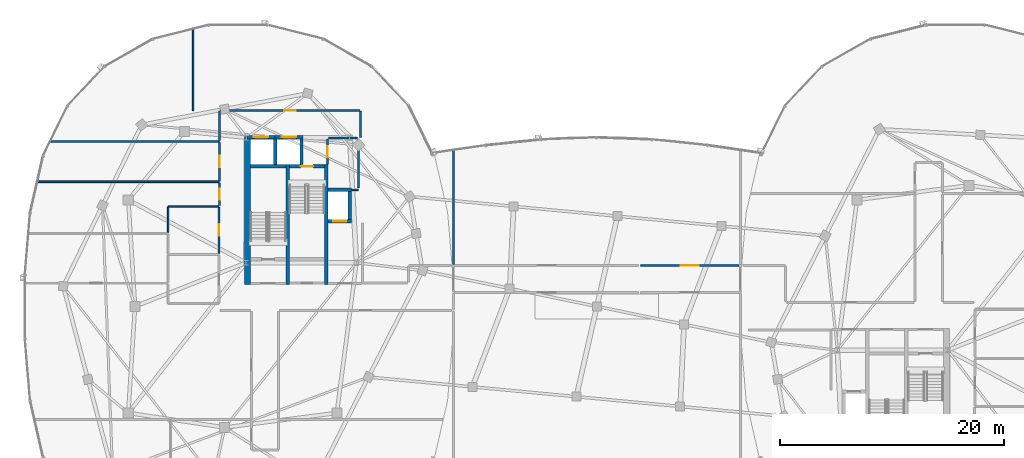
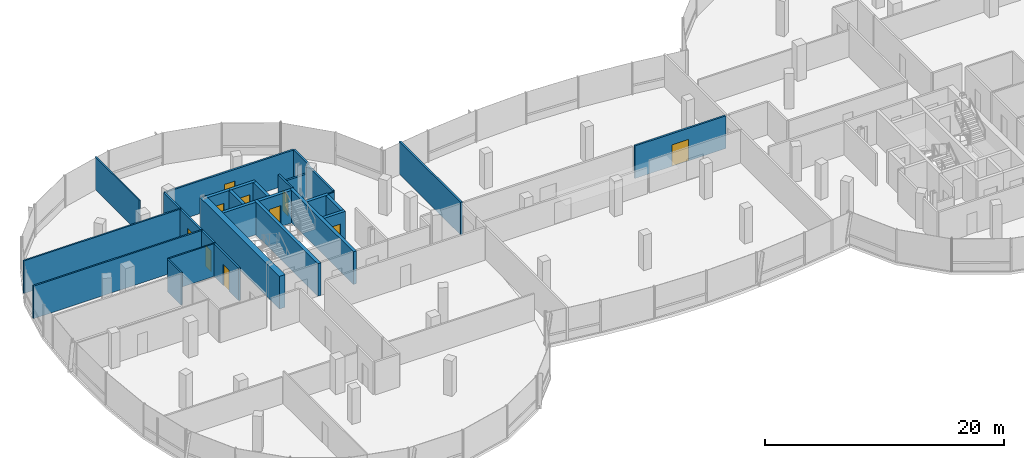
# One storey, part 15 of 25: 29 walls, 10 doors, 10 openings.
"""IFC4 building model written with IfcOpenShell, lengths in metres."""

from ifc_helpers import new_model, si_unit, direction, frame, frame_2d, origin, place, context, subcontext, project, spatial, rectangle, extrude, material, layer, layer_set, type_object, element, fill, save


model = new_model("IFC4")

# Units and contexts
model_context = context("Model", 3, precision=1e-05, world=origin(), true_north=direction((0.0, 1.0)))
body_context = subcontext(model_context, "Body", "Model", "MODEL_VIEW")
ifc_project = project(units=[si_unit("LENGTHUNIT", "METRE"), si_unit("AREAUNIT", "SQUARE_METRE"), si_unit("VOLUMEUNIT", "CUBIC_METRE"), si_unit("PLANEANGLEUNIT", "RADIAN"), si_unit("MASSUNIT", "GRAM", prefix="KILO"), si_unit("THERMODYNAMICTEMPERATUREUNIT", "KELVIN"), si_unit("POWERUNIT", "WATT")], contexts=[model_context])

# Site, building, storey
site_placement = place(None, origin())
site = spatial("IfcSite", under=ifc_project, at=site_placement, CompositionType="ELEMENT")
building_placement = place(site_placement, origin())
building = spatial("IfcBuilding", under=site, at=building_placement, Name="Cundina Bronze Exchange", CompositionType="ELEMENT")
storey_placement = place(building_placement, frame((0.0, 0.0, 254.0)))
storey = spatial("IfcBuildingStorey", under=building, at=storey_placement, Name="L67", CompositionType="ELEMENT", Elevation=254.0)

# Walls
ifc_material_1 = material(Name="Gypsum Fireboard Partition EI120")
ifc_layer_1 = layer(ifc_material_1, 0.179931640625, Name="Gypsum Fireboard Partition EI120")
ifc_layer_set_1 = layer_set([ifc_layer_1], Name="Gypsum Fireboard Partition EI120")
wall_type_1 = type_object("IfcWallType", Name="WL-COR-180", PredefinedType="PARTITIONING", material=ifc_layer_set_1)
wall_1_placement = place(storey_placement, frame((-21.25, 10.570068359375, 0.0), z_axis=(0.0, 0.0, 1.0), x_axis=(0.0, 1.0, 0.0)))
element("IfcWall", 1, at=wall_1_placement, inside=storey, type_object=wall_type_1, Name="L67 Interior Partition 002", PredefinedType="PARTITIONING", context=body_context, shape_type="SweptSolid", body=[
    extrude(rectangle(XDim=4.35986328125, YDim=0.179931640625, at=frame_2d((2.179931640625, 0.0))), origin(), (0.0, 0.0, 1.0), 3.340087890625),
])
wall_2_placement = place(storey_placement, frame((-23.9599609375, 15.030029296875, 0.0), z_axis=(0.0, 0.0, 1.0), x_axis=(1.0, 0.0, 0.0)))
element("IfcWall", 2, at=wall_2_placement, inside=storey, type_object=wall_type_1, Name="L67 Interior Partition 003", PredefinedType="PARTITIONING", context=body_context, shape_type="SweptSolid", body=[
    extrude(rectangle(XDim=2.60986328125, YDim=0.179931640625, at=frame_2d((1.304931640625, 0.0))), origin(), (0.0, 0.0, 1.0), 2.4130859375),
])

# Wall, opening, door
wall_3_placement = place(storey_placement, frame((-24.02001953125, 12.669921875, 0.0), z_axis=(0.0, 0.0, 1.0), x_axis=(0.0, 1.0, 0.0)))
wall_3 = element("IfcWall", 3, at=wall_3_placement, inside=storey, type_object=wall_type_1, Name="L67 Interior Partition 005", PredefinedType="PARTITIONING", context=body_context, shape_type="SweptSolid", body=[
    extrude(rectangle(XDim=2.260009765625, YDim=0.179931640625, at=frame_2d((1.1298828125, 0.0))), origin(), (0.0, 0.0, 1.0), 3.340087890625),
])
opening_1_placement = place(wall_3_placement, frame((0.655029296875, 0.0, 0.0)))
opening_1 = element("IfcOpeningElement", 4, at=opening_1_placement, cuts=wall_3, Name="Opening DW-01", PredefinedType="OPENING", context=body_context, shape_type="SweptSolid", body=[
    extrude(rectangle(XDim=0.949951171875, YDim=2.10009765625, at=frame_2d((0.47509765625, 1.050048828125))), frame((0.0, 0.099853515625, 0.0), z_axis=(0.0, -1.0, 0.0), x_axis=(1.0, 0.0, 0.0)), (0.0, 0.0, 1.0), 0.199951171875),
])
ifc_material_2 = material(Name="Solid Andean Oak Timber Grade A", Category="wood")
door_type_1 = type_object("IfcDoorType", Name="DR-WC-950", OperationType="NOTDEFINED", PredefinedType="DOOR", material=ifc_material_2)
door_1_placement = place(opening_1_placement, origin())
door_1 = element("IfcDoor", 5, at=door_1_placement, inside=storey, type_object=door_type_1, Name="L67 Interior Door 005", OperationType="SINGLE_SWING_LEFT", OverallHeight=2.10009765625, OverallWidth=0.949951171875, PredefinedType="DOOR", context=body_context, shape_type="SweptSolid", body=[
    extrude(rectangle(XDim=0.949951171875, YDim=2.10009765625, at=frame_2d((0.47509765625, 1.050048828125))), frame((0.0, 0.02490234375, 0.0), z_axis=(0.0, -1.0, 0.0), x_axis=(1.0, 0.0, 0.0)), (0.0, 0.0, 1.0), 0.050048828125),
])
fill(opening_1, door_1)

wall_4_placement = place(storey_placement, frame((-33.719970703125, 4.72998046875, 0.0), z_axis=(0.0, 0.0, 1.0), x_axis=(0.0, 1.0, 0.0)))
wall_4 = element("IfcWall", 6, at=wall_4_placement, inside=storey, type_object=wall_type_1, Name="L67 Interior Partition 014", PredefinedType="PARTITIONING", context=body_context, shape_type="SweptSolid", body=[
    extrude(rectangle(XDim=4.159912109375, YDim=0.179931640625, at=frame_2d((2.080078125, 0.0))), origin(), (0.0, 0.0, 1.0), 3.340087890625),
])
opening_2_placement = place(wall_4_placement, frame((1.580078125, 0.0, 0.0)))
opening_2 = element("IfcOpeningElement", 7, at=opening_2_placement, cuts=wall_4, Name="Opening DO-01", PredefinedType="OPENING", context=body_context, shape_type="SweptSolid", body=[
    extrude(rectangle(XDim=1.0, YDim=2.14990234375, at=frame_2d((0.5, 1.074951171875))), frame((0.0, 0.099853515625, 0.0), z_axis=(0.0, -1.0, 0.0), x_axis=(1.0, 0.0, 0.0)), (0.0, 0.0, 1.0), 0.199951171875),
])
door_type_2 = type_object("IfcDoorType", Name="DR-OFF-1000", OperationType="NOTDEFINED", PredefinedType="DOOR", material=ifc_material_2)
door_2_placement = place(opening_2_placement, origin())
door_2 = element("IfcDoor", 8, at=door_2_placement, inside=storey, type_object=door_type_2, Name="L67 Interior Door 014", OperationType="SINGLE_SWING_RIGHT", OverallHeight=2.14990234375, OverallWidth=1.0, PredefinedType="DOOR", context=body_context, shape_type="SweptSolid", body=[
    extrude(rectangle(XDim=1.0, YDim=2.14990234375, at=frame_2d((0.5, 1.074951171875))), frame((0.0, 0.02490234375, 0.0), z_axis=(0.0, -1.0, 0.0), x_axis=(1.0, 0.0, 0.0)), (0.0, 0.0, 1.0), 0.050048828125),
])
fill(opening_2, door_2)

wall_5_placement = place(storey_placement, frame((-33.669921875, 11.030029296875, 0.0), z_axis=(0.0, 0.0, 1.0), x_axis=(0.0, -1.0, 0.0)))
wall_5 = element("IfcWall", 9, at=wall_5_placement, inside=storey, type_object=wall_type_1, Name="L67 Interior Partition 029", PredefinedType="PARTITIONING", context=body_context, shape_type="SweptSolid", body=[
    extrude(rectangle(XDim=2.028564453125, YDim=0.179931640625, at=frame_2d((1.01416015625, 0.0))), origin(), (0.0, 0.0, 1.0), 3.340087890625),
])
opening_3_placement = place(wall_5_placement, frame((0.514404296875, 0.0, 0.0)))
opening_3 = element("IfcOpeningElement", 10, at=opening_3_placement, cuts=wall_5, Name="Opening DO-01", PredefinedType="OPENING", context=body_context, shape_type="SweptSolid", body=[
    extrude(rectangle(XDim=1.0, YDim=2.14990234375, at=frame_2d((0.5, 1.074951171875))), frame((0.0, 0.099853515625, 0.0), z_axis=(0.0, -1.0, 0.0), x_axis=(1.0, 0.0, 0.0)), (0.0, 0.0, 1.0), 0.199951171875),
])
door_3_placement = place(opening_3_placement, origin())
door_3 = element("IfcDoor", 11, at=door_3_placement, inside=storey, type_object=door_type_2, Name="L67 Interior Door 029", OperationType="SINGLE_SWING_LEFT", OverallHeight=2.14990234375, OverallWidth=1.0, PredefinedType="DOOR", context=body_context, shape_type="SweptSolid", body=[
    extrude(rectangle(XDim=1.0, YDim=2.14990234375, at=frame_2d((0.5, 1.074951171875))), frame((0.0, 0.02490234375, 0.0), z_axis=(0.0, -1.0, 0.0), x_axis=(1.0, 0.0, 0.0)), (0.0, 0.0, 1.0), 0.050048828125),
])
fill(opening_3, door_3)

wall_6_placement = place(storey_placement, frame((-33.669921875, 14.6298828125, 0.0), z_axis=(0.0, 0.0, 1.0), x_axis=(0.0, -1.0, 0.0)))
wall_6 = element("IfcWall", 12, at=wall_6_placement, inside=storey, type_object=wall_type_1, Name="L67 Interior Partition 030", PredefinedType="PARTITIONING", context=body_context, shape_type="SweptSolid", body=[
    extrude(rectangle(XDim=3.419921875, YDim=0.179931640625, at=frame_2d((1.7099609375, 0.0))), origin(), (0.0, 0.0, 1.0), 3.340087890625),
])
opening_4_placement = place(wall_6_placement, frame((1.2099609375, 0.0, 0.0)))
opening_4 = element("IfcOpeningElement", 13, at=opening_4_placement, cuts=wall_6, Name="Opening DO-01", PredefinedType="OPENING", context=body_context, shape_type="SweptSolid", body=[
    extrude(rectangle(XDim=1.0, YDim=2.14990234375, at=frame_2d((0.5, 1.074951171875))), frame((0.0, 0.099853515625, 0.0), z_axis=(0.0, -1.0, 0.0), x_axis=(1.0, 0.0, 0.0)), (0.0, 0.0, 1.0), 0.199951171875),
])
door_4_placement = place(opening_4_placement, origin())
door_4 = element("IfcDoor", 14, at=door_4_placement, inside=storey, type_object=door_type_2, Name="L67 Interior Door 030", OperationType="SINGLE_SWING_RIGHT", OverallHeight=2.14990234375, OverallWidth=1.0, PredefinedType="DOOR", context=body_context, shape_type="SweptSolid", body=[
    extrude(rectangle(XDim=1.0, YDim=2.14990234375, at=frame_2d((0.5, 1.074951171875))), frame((0.0, 0.02490234375, 0.0), z_axis=(0.0, -1.0, 0.0), x_axis=(1.0, 0.0, 0.0)), (0.0, 0.0, 1.0), 0.050048828125),
])
fill(opening_4, door_4)

wall_7_placement = place(storey_placement, frame((-21.12158203125, 17.469970703125, 0.0), z_axis=(0.0, 0.0, 1.0), x_axis=(-1.0, 0.0, 0.0)))
wall_7 = element("IfcWall", 15, at=wall_7_placement, inside=storey, type_object=wall_type_1, Name="L67 Interior Partition 031", PredefinedType="PARTITIONING", context=body_context, shape_type="SweptSolid", body=[
    extrude(rectangle(XDim=12.5068359375, YDim=0.179931640625, at=frame_2d((6.25341796875, 0.0))), origin(), (0.0, 0.0, 1.0), 3.340087890625),
])
opening_5_placement = place(wall_7_placement, frame((5.75341796875, 0.0, 0.0)))
opening_5 = element("IfcOpeningElement", 16, at=opening_5_placement, cuts=wall_7, Name="Opening DO-01", PredefinedType="OPENING", context=body_context, shape_type="SweptSolid", body=[
    extrude(rectangle(XDim=1.0, YDim=2.14990234375, at=frame_2d((0.5, 1.074951171875))), frame((0.0, 0.099853515625, 0.0), z_axis=(0.0, -1.0, 0.0), x_axis=(1.0, 0.0, 0.0)), (0.0, 0.0, 1.0), 0.199951171875),
])
door_5_placement = place(opening_5_placement, origin())
door_5 = element("IfcDoor", 17, at=door_5_placement, inside=storey, type_object=door_type_2, Name="L67 Interior Door 031", OperationType="SINGLE_SWING_RIGHT", OverallHeight=2.14990234375, OverallWidth=1.0, PredefinedType="DOOR", context=body_context, shape_type="SweptSolid", body=[
    extrude(rectangle(XDim=1.0, YDim=2.14990234375, at=frame_2d((0.5, 1.074951171875))), frame((0.0, 0.02490234375, 0.0), z_axis=(0.0, -1.0, 0.0), x_axis=(1.0, 0.0, 0.0)), (0.0, 0.0, 1.0), 0.050048828125),
])
fill(opening_5, door_5)

# Walls
wall_8_placement = place(storey_placement, frame((-33.669921875, 17.428466796875, 0.0), z_axis=(0.0, 0.0, 1.0), x_axis=(0.0, -1.0, 0.0)))
element("IfcWall", 18, at=wall_8_placement, inside=storey, type_object=wall_type_1, Name="L67 Interior Partition 034", PredefinedType="PARTITIONING", context=body_context, shape_type="SweptSolid", body=[
    extrude(rectangle(XDim=2.618408203125, YDim=0.179931640625, at=frame_2d((1.30908203125, 0.0))), origin(), (0.0, 0.0, 1.0), 3.340087890625),
])
wall_9_placement = place(storey_placement, frame((-21.080078125, 15.071533203125, 0.0), z_axis=(0.0, 0.0, 1.0), x_axis=(0.0, 1.0, 0.0)))
element("IfcWall", 19, at=wall_9_placement, inside=storey, type_object=wall_type_1, Name="L67 Interior Partition 035", PredefinedType="PARTITIONING", context=body_context, shape_type="SweptSolid", body=[
    extrude(rectangle(XDim=2.35693359375, YDim=0.179931640625, at=frame_2d((1.178466796875, 0.0))), origin(), (0.0, 0.0, 1.0), 3.340087890625),
])

# Wall, opening, door
wall_10_placement = place(storey_placement, frame((12.6884765625, 3.669921875, 0.0), z_axis=(0.0, 0.0, 1.0), x_axis=(-1.0, 0.0, 0.0)))
wall_10 = element("IfcWall", 20, at=wall_10_placement, inside=storey, type_object=wall_type_1, Name="L67 Interior Partition 072", PredefinedType="PARTITIONING", context=body_context, shape_type="SweptSolid", body=[
    extrude(rectangle(XDim=8.79345703125, YDim=0.179931640625, at=frame_2d((4.396728515625, 0.0))), origin(), (0.0, 0.0, 1.0), 3.340087890625),
])
opening_6_placement = place(wall_10_placement, frame((3.5966796875, 0.0, 0.0)))
opening_6 = element("IfcOpeningElement", 21, at=opening_6_placement, cuts=wall_10, Name="Opening DO-02", PredefinedType="OPENING", context=body_context, shape_type="SweptSolid", body=[
    extrude(rectangle(XDim=1.60009765625, YDim=2.199951171875, at=frame_2d((0.800048828125, 1.10009765625))), frame((0.0, 0.099853515625, 0.0), z_axis=(0.0, -1.0, 0.0), x_axis=(1.0, 0.0, 0.0)), (0.0, 0.0, 1.0), 0.199951171875),
])
door_type_3 = type_object("IfcDoorType", Name="DR-TRD-1600", OperationType="NOTDEFINED", PredefinedType="DOOR", material=ifc_material_2)
door_6_placement = place(opening_6_placement, origin())
door_6 = element("IfcDoor", 22, at=door_6_placement, inside=storey, type_object=door_type_3, Name="L67 Interior Door 072", OperationType="SINGLE_SWING_LEFT", OverallHeight=2.199951171875, OverallWidth=1.60009765625, PredefinedType="DOOR", context=body_context, shape_type="SweptSolid", body=[
    extrude(rectangle(XDim=1.60009765625, YDim=2.199951171875, at=frame_2d((0.800048828125, 1.10009765625))), frame((0.0, 0.02490234375, 0.0), z_axis=(0.0, -1.0, 0.0), x_axis=(1.0, 0.0, 0.0)), (0.0, 0.0, 1.0), 0.050048828125),
])
fill(opening_6, door_6)

# Walls
wall_11_placement = place(storey_placement, frame((-12.800048828125, 3.739990234375, 0.0), z_axis=(0.0, 0.0, 1.0), x_axis=(0.0, 1.0, 0.0)))
element("IfcWall", 23, at=wall_11_placement, inside=storey, type_object=wall_type_1, Name="L67 Interior Partition 076", PredefinedType="PARTITIONING", context=body_context, shape_type="SweptSolid", body=[
    extrude(rectangle(XDim=10.3037109375, YDim=0.179931640625, at=frame_2d((5.15185546875, 0.0))), origin(), (0.0, 0.0, 1.0), 3.340087890625),
])
ifc_material_3 = material(Name="Concrete C50/60", Category="concrete")
ifc_layer_2 = layer(ifc_material_3, 0.550048828125, Name="Concrete C50/60", Category="concrete")
ifc_layer_set_2 = layer_set([ifc_layer_2], Name="Concrete C50/60")
wall_type_2 = type_object("IfcWallType", Name="WL-CORE-550", PredefinedType="SHEAR", material=ifc_layer_set_2)
wall_12_placement = place(storey_placement, frame((-31.175048828125, 1.969970703125, 0.0), z_axis=(0.0, 0.0, 1.0), x_axis=(0.0, 1.0, 0.0)))
element("IfcWall", 24, at=wall_12_placement, inside=storey, type_object=wall_type_2, Name="L67 W Primary Core Shear Spine Wall", PredefinedType="SHEAR", context=body_context, shape_type="SweptSolid", body=[
    extrude(rectangle(XDim=13.330078125, YDim=0.550048828125, at=frame_2d((6.6650390625, 0.0))), origin(), (0.0, 0.0, 1.0), 3.340087890625),
])
ifc_material_4 = material(Name="Gypsum Acoustic Partition EI60")
ifc_layer_3 = layer(ifc_material_4, 0.125, Name="Gypsum Acoustic Partition EI60")
ifc_layer_set_3 = layer_set([ifc_layer_3], Name="Gypsum Acoustic Partition EI60")
wall_type_3 = type_object("IfcWallType", Name="WL-OFF-125", PredefinedType="PARTITIONING", material=ifc_layer_set_3)
wall_13_placement = place(storey_placement, frame((-36.02001953125, 17.469970703125, 0.0), z_axis=(0.0, 0.0, 1.0), x_axis=(0.0, 1.0, 0.0)))
element("IfcWall", 25, at=wall_13_placement, inside=storey, type_object=wall_type_3, Name="L67 Interior Partition 021", PredefinedType="PARTITIONING", context=body_context, shape_type="SweptSolid", body=[
    extrude(rectangle(XDim=7.368896484375, YDim=0.125, at=frame_2d((3.6845703125, 0.0))), origin(), (0.0, 0.0, 1.0), 3.340087890625),
])
ifc_layer_4 = layer(ifc_material_3, 0.300048828125, Name="Concrete C50/60", Category="concrete")
ifc_layer_set_4 = layer_set([ifc_layer_4], Name="Concrete C50/60")
wall_type_4 = type_object("IfcWallType", Name="WL-SHFT-300", PredefinedType="SHEAR", material=ifc_layer_set_4)
for number, where, z_axis, x_axis, name in (
    (26, (-27.590087890625, 1.969970703125, 0.0), (0.0, 0.0, 1.0), (0.0, 1.0, 0.0), "L67 W Stair Shaft Dividing Shear Wall"),
    (27, (-24.1298828125, 1.969970703125, 0.0), (0.0, 0.0, 1.0), (0.0, 1.0, 0.0), "L67 W Stair 2 East Shear Wall"),
):
    element("IfcWall", number, at=place(storey_placement, frame(where, z_axis=z_axis, x_axis=x_axis)), inside=storey, type_object=wall_type_4, Name=name, PredefinedType="SHEAR", context=body_context, shape_type="SweptSolid", body=[
        extrude(rectangle(XDim=10.679931640625, YDim=0.300048828125, at=frame_2d((5.33984375, 0.0))), origin(), (0.0, 0.0, 1.0), 3.340087890625),
    ])
wall_14_placement = place(storey_placement, frame((-30.89990234375, 12.5, 0.0), z_axis=(0.0, 0.0, 1.0), x_axis=(1.0, 0.0, 0.0)))
element("IfcWall", 28, at=wall_14_placement, inside=storey, type_object=wall_type_4, Name="L67 Stair W1 Far Shaft Wall", PredefinedType="SHEAR", context=body_context, shape_type="SweptSolid", body=[
    extrude(rectangle(XDim=3.159912109375, YDim=0.300048828125, at=frame_2d((1.580078125, 0.0))), origin(), (0.0, 0.0, 1.0), 3.340087890625),
])

# Wall, opening, door
wall_15_placement = place(storey_placement, frame((-27.43994140625, 12.5, 0.0), z_axis=(0.0, 0.0, 1.0), x_axis=(1.0, 0.0, 0.0)))
wall_15 = element("IfcWall", 29, at=wall_15_placement, inside=storey, type_object=wall_type_4, Name="L67 Stair W2 Landing Wall", PredefinedType="SHEAR", context=body_context, shape_type="SweptSolid", body=[
    extrude(rectangle(XDim=3.159912109375, YDim=0.300048828125, at=frame_2d((1.580078125, 0.0))), origin(), (0.0, 0.0, 1.0), 3.340087890625),
])
opening_7_placement = place(wall_15_placement, frame((1.030029296875, 0.0, 0.0)))
opening_7 = element("IfcOpeningElement", 30, at=opening_7_placement, cuts=wall_15, Name="Opening DS-01", PredefinedType="OPENING", context=body_context, shape_type="SweptSolid", body=[
    extrude(rectangle(XDim=1.10009765625, YDim=2.14990234375, at=frame_2d((0.550048828125, 1.074951171875))), frame((0.0, 0.159912109375, 0.0), z_axis=(0.0, -1.0, 0.0), x_axis=(1.0, 0.0, 0.0)), (0.0, 0.0, 1.0), 0.320068359375),
])
ifc_material_5 = material(Name="Steel ASTM A36 Painted", Category="steel")
door_type_4 = type_object("IfcDoorType", Name="DR-STR-1100", OperationType="NOTDEFINED", PredefinedType="DOOR", material=ifc_material_5)
door_7_placement = place(opening_7_placement, origin())
door_7 = element("IfcDoor", 31, at=door_7_placement, inside=storey, type_object=door_type_4, Name="L67 Smokeproof Stair W2 Door", OperationType="SINGLE_SWING_LEFT", OverallHeight=2.14990234375, OverallWidth=1.10009765625, PredefinedType="DOOR", context=body_context, shape_type="SweptSolid", body=[
    extrude(rectangle(XDim=1.10009765625, YDim=2.14990234375, at=frame_2d((0.550048828125, 1.074951171875))), frame((0.0, 0.02490234375, 0.0), z_axis=(0.0, -1.0, 0.0), x_axis=(1.0, 0.0, 0.0)), (0.0, 0.0, 1.0), 0.050048828125),
])
fill(opening_7, door_7)

wall_16_placement = place(storey_placement, frame((-23.97998046875, 7.60009765625, 0.0), z_axis=(0.0, 0.0, 1.0), x_axis=(1.0, 0.0, 0.0)))
wall_16 = element("IfcWall", 32, at=wall_16_placement, inside=storey, type_object=wall_type_4, Name="L67 FFL-W Hoistway Front Wall", PredefinedType="SHEAR", context=body_context, shape_type="SweptSolid", body=[
    extrude(rectangle(XDim=2.10009765625, YDim=0.300048828125, at=frame_2d((1.050048828125, 0.0))), origin(), (0.0, 0.0, 1.0), 3.340087890625),
])
opening_8_placement = place(wall_16_placement, frame((0.47509765625, 0.0, 0.0)))
opening_8 = element("IfcOpeningElement", 33, at=opening_8_placement, cuts=wall_16, Name="Opening LD-01", PredefinedType="OPENING", context=body_context, shape_type="SweptSolid", body=[
    extrude(rectangle(XDim=1.14990234375, YDim=2.199951171875, at=frame_2d((0.574951171875, 1.10009765625))), frame((0.0, 0.159912109375, 0.0), z_axis=(0.0, -1.0, 0.0), x_axis=(1.0, 0.0, 0.0)), (0.0, 0.0, 1.0), 0.320068359375),
])
door_type_5 = type_object("IfcDoorType", Name="DR-LND-1150", OperationType="NOTDEFINED", PredefinedType="TRAPDOOR", material=ifc_material_5)
door_8_placement = place(opening_8_placement, origin())
door_8 = element("IfcDoor", 34, at=door_8_placement, inside=storey, type_object=door_type_5, Name="L67 FFL-W Sliding Landing Door", OperationType="SLIDING_TO_LEFT", OverallHeight=2.199951171875, OverallWidth=1.14990234375, PredefinedType="TRAPDOOR", context=body_context, shape_type="SweptSolid", body=[
    extrude(rectangle(XDim=1.14990234375, YDim=2.199951171875, at=frame_2d((0.574951171875, 1.10009765625))), frame((0.0, 0.02490234375, 0.0), z_axis=(0.0, -1.0, 0.0), x_axis=(1.0, 0.0, 0.0)), (0.0, 0.0, 1.0), 0.050048828125),
])
fill(opening_8, door_8)

# Walls
wall_17_placement = place(storey_placement, frame((-23.97998046875, 10.39990234375, 0.0), z_axis=(0.0, 0.0, 1.0), x_axis=(1.0, 0.0, 0.0)))
element("IfcWall", 35, at=wall_17_placement, inside=storey, type_object=wall_type_4, Name="L67 FFL-W Hoistway Back Wall", PredefinedType="SHEAR", context=body_context, shape_type="SweptSolid", body=[
    extrude(rectangle(XDim=2.10009765625, YDim=0.300048828125, at=frame_2d((1.050048828125, 0.0))), origin(), (0.0, 0.0, 1.0), 3.340087890625),
])
wall_18_placement = place(storey_placement, frame((-22.030029296875, 7.75, 0.0), z_axis=(0.0, 0.0, 1.0), x_axis=(0.0, 1.0, 0.0)))
element("IfcWall", 36, at=wall_18_placement, inside=storey, type_object=wall_type_4, Name="L67 FFL-W Hoistway Side Wall", PredefinedType="SHEAR", context=body_context, shape_type="SweptSolid", body=[
    extrude(rectangle(XDim=2.5, YDim=0.300048828125, at=frame_2d((1.25, 0.0))), origin(), (0.0, 0.0, 1.0), 3.340087890625),
])

# Wall, opening, door
wall_19_placement = place(storey_placement, frame((-31.199951171875, 15.10009765625, 0.0), z_axis=(0.0, 0.0, 1.0), x_axis=(1.0, 0.0, 0.0)))
wall_19 = element("IfcWall", 37, at=wall_19_placement, inside=storey, type_object=wall_type_4, Name="L67 PH-W1 Hoistway Front Wall", PredefinedType="SHEAR", context=body_context, shape_type="SweptSolid", body=[
    extrude(rectangle(XDim=2.5, YDim=0.300048828125, at=frame_2d((1.25, 0.0))), origin(), (0.0, 0.0, 1.0), 3.340087890625),
])
opening_9_placement = place(wall_19_placement, frame((0.60009765625, 0.0, 0.0)))
opening_9 = element("IfcOpeningElement", 38, at=opening_9_placement, cuts=wall_19, Name="Opening LD-02", PredefinedType="OPENING", context=body_context, shape_type="SweptSolid", body=[
    extrude(rectangle(XDim=1.300048828125, YDim=2.199951171875, at=frame_2d((0.64990234375, 1.10009765625))), frame((0.0, 0.159912109375, 0.0), z_axis=(0.0, -1.0, 0.0), x_axis=(1.0, 0.0, 0.0)), (0.0, 0.0, 1.0), 0.320068359375),
])
door_type_6 = type_object("IfcDoorType", Name="DR-LND-1300", OperationType="NOTDEFINED", PredefinedType="TRAPDOOR", material=ifc_material_5)
door_9_placement = place(opening_9_placement, origin())
door_9 = element("IfcDoor", 39, at=door_9_placement, inside=storey, type_object=door_type_6, Name="L67 PH-W1 Sliding Landing Door", OperationType="SLIDING_TO_LEFT", OverallHeight=2.199951171875, OverallWidth=1.300048828125, PredefinedType="TRAPDOOR", context=body_context, shape_type="SweptSolid", body=[
    extrude(rectangle(XDim=1.300048828125, YDim=2.199951171875, at=frame_2d((0.64990234375, 1.10009765625))), frame((0.0, 0.02490234375, 0.0), z_axis=(0.0, -1.0, 0.0), x_axis=(1.0, 0.0, 0.0)), (0.0, 0.0, 1.0), 0.050048828125),
])
fill(opening_9, door_9)

# Wall
wall_20_placement = place(storey_placement, frame((-28.699951171875, 12.64990234375, 0.0), z_axis=(0.0, 0.0, 1.0), x_axis=(0.0, 1.0, 0.0)))
element("IfcWall", 40, at=wall_20_placement, inside=storey, type_object=wall_type_4, Name="L67 PH-W1 Hoistway Divider Wall", PredefinedType="SHEAR", context=body_context, shape_type="SweptSolid", body=[
    extrude(rectangle(XDim=2.300048828125, YDim=0.300048828125, at=frame_2d((1.14990234375, 0.0))), origin(), (0.0, 0.0, 1.0), 3.340087890625),
])

# Wall, opening, door
wall_21_placement = place(storey_placement, frame((-28.699951171875, 15.10009765625, 0.0), z_axis=(0.0, 0.0, 1.0), x_axis=(1.0, 0.0, 0.0)))
wall_21 = element("IfcWall", 41, at=wall_21_placement, inside=storey, type_object=wall_type_4, Name="L67 PH-W2 Hoistway Front Wall", PredefinedType="SHEAR", context=body_context, shape_type="SweptSolid", body=[
    extrude(rectangle(XDim=2.5, YDim=0.300048828125, at=frame_2d((1.25, 0.0))), origin(), (0.0, 0.0, 1.0), 3.340087890625),
])
opening_10_placement = place(wall_21_placement, frame((0.60009765625, 0.0, 0.0)))
opening_10 = element("IfcOpeningElement", 42, at=opening_10_placement, cuts=wall_21, Name="Opening LD-02", PredefinedType="OPENING", context=body_context, shape_type="SweptSolid", body=[
    extrude(rectangle(XDim=1.300048828125, YDim=2.199951171875, at=frame_2d((0.64990234375, 1.10009765625))), frame((0.0, 0.159912109375, 0.0), z_axis=(0.0, -1.0, 0.0), x_axis=(1.0, 0.0, 0.0)), (0.0, 0.0, 1.0), 0.320068359375),
])
door_10_placement = place(opening_10_placement, origin())
door_10 = element("IfcDoor", 43, at=door_10_placement, inside=storey, type_object=door_type_6, Name="L67 PH-W2 Sliding Landing Door", OperationType="SLIDING_TO_LEFT", OverallHeight=2.199951171875, OverallWidth=1.300048828125, PredefinedType="TRAPDOOR", context=body_context, shape_type="SweptSolid", body=[
    extrude(rectangle(XDim=1.300048828125, YDim=2.199951171875, at=frame_2d((0.64990234375, 1.10009765625))), frame((0.0, 0.02490234375, 0.0), z_axis=(0.0, -1.0, 0.0), x_axis=(1.0, 0.0, 0.0)), (0.0, 0.0, 1.0), 0.050048828125),
])
fill(opening_10, door_10)

# Walls
wall_22_placement = place(storey_placement, frame((-26.35009765625, 12.64990234375, 0.0), z_axis=(0.0, 0.0, 1.0), x_axis=(0.0, 1.0, 0.0)))
element("IfcWall", 44, at=wall_22_placement, inside=storey, type_object=wall_type_4, Name="L67 PH-W2 Hoistway Divider Wall", PredefinedType="SHEAR", context=body_context, shape_type="SweptSolid", body=[
    extrude(rectangle(XDim=2.300048828125, YDim=0.300048828125, at=frame_2d((1.14990234375, 0.0))), origin(), (0.0, 0.0, 1.0), 3.340087890625),
])
ifc_layer_5 = layer(ifc_material_4, 0.14990234375, Name="Gypsum Acoustic Partition EI60")
ifc_layer_set_5 = layer_set([ifc_layer_5], Name="Gypsum Acoustic Partition EI60")
wall_type_5 = type_object("IfcWallType", Name="WL-TEN-150", PredefinedType="PARTITIONING", material=ifc_layer_set_5)
wall_23_placement = place(storey_placement, frame((-50.006591796875, 11.1201171875, 0.0), z_axis=(0.0, 0.0, 1.0), x_axis=(1.0, 0.0, 0.0)))
element("IfcWall", 45, at=wall_23_placement, inside=storey, type_object=wall_type_5, Name="L67 Interior Partition 019", PredefinedType="PARTITIONING", context=body_context, shape_type="SweptSolid", body=[
    extrude(rectangle(XDim=16.306640625, YDim=0.14990234375, at=frame_2d((8.1533203125, 0.0))), origin(), (0.0, 0.0, 1.0), 3.340087890625),
])
wall_24_placement = place(storey_placement, frame((-48.86376953125, 14.719970703125, 0.0), z_axis=(0.0, 0.0, 1.0), x_axis=(1.0, 0.0, 0.0)))
element("IfcWall", 46, at=wall_24_placement, inside=storey, type_object=wall_type_5, Name="L67 Interior Partition 020", PredefinedType="PARTITIONING", context=body_context, shape_type="SweptSolid", body=[
    extrude(rectangle(XDim=15.163818359375, YDim=0.14990234375, at=frame_2d((7.58203125, 0.0))), origin(), (0.0, 0.0, 1.0), 3.340087890625),
])
ifc_material_6 = material(Name="Moisture-Resistant Masonry Block Grade M15", Category="masonry")
ifc_layer_6 = layer(ifc_material_6, 0.139892578125, Name="Moisture-Resistant Masonry Block Grade M15", Category="masonry")
ifc_layer_set_6 = layer_set([ifc_layer_6], Name="Moisture-Resistant Masonry Block Grade M15")
wall_type_6 = type_object("IfcWallType", Name="WL-WET-140", PredefinedType="PARTITIONING", material=ifc_layer_set_6)
wall_25_placement = place(storey_placement, frame((-21.860107421875, 10.39990234375, 0.0), z_axis=(0.0, 0.0, 1.0), x_axis=(1.0, 0.0, 0.0)))
element("IfcWall", 47, at=wall_25_placement, inside=storey, type_object=wall_type_6, Name="L67 Interior Partition 001", PredefinedType="PARTITIONING", context=body_context, shape_type="SweptSolid", body=[
    extrude(rectangle(XDim=0.590087890625, YDim=0.139892578125, at=frame_2d((0.294921875, 0.0))), origin(), (0.0, 0.0, 1.0), 3.340087890625),
])
wall_26_placement = place(storey_placement, frame((-38.239990234375, 6.60498046875, 0.0), z_axis=(0.0, 0.0, 1.0), x_axis=(0.0, 1.0, 0.0)))
element("IfcWall", 48, at=wall_26_placement, inside=storey, type_object=wall_type_6, Name="L67 Interior Partition 009", PredefinedType="PARTITIONING", context=body_context, shape_type="SweptSolid", body=[
    extrude(rectangle(XDim=2.284912109375, YDim=0.139892578125, at=frame_2d((1.142578125, 0.0))), origin(), (0.0, 0.0, 1.0), 3.340087890625),
])
wall_27_placement = place(storey_placement, frame((-38.219970703125, 8.909912109375, 0.0), z_axis=(0.0, 0.0, 1.0), x_axis=(1.0, 0.0, 0.0)))
element("IfcWall", 49, at=wall_27_placement, inside=storey, type_object=wall_type_6, Name="L67 Interior Partition 012", PredefinedType="PARTITIONING", context=body_context, shape_type="SweptSolid", body=[
    extrude(rectangle(XDim=4.47998046875, YDim=0.139892578125, at=frame_2d((2.239990234375, 0.0))), origin(), (0.0, 0.0, 1.0), 3.340087890625),
])

save(model, "model.ifc")
